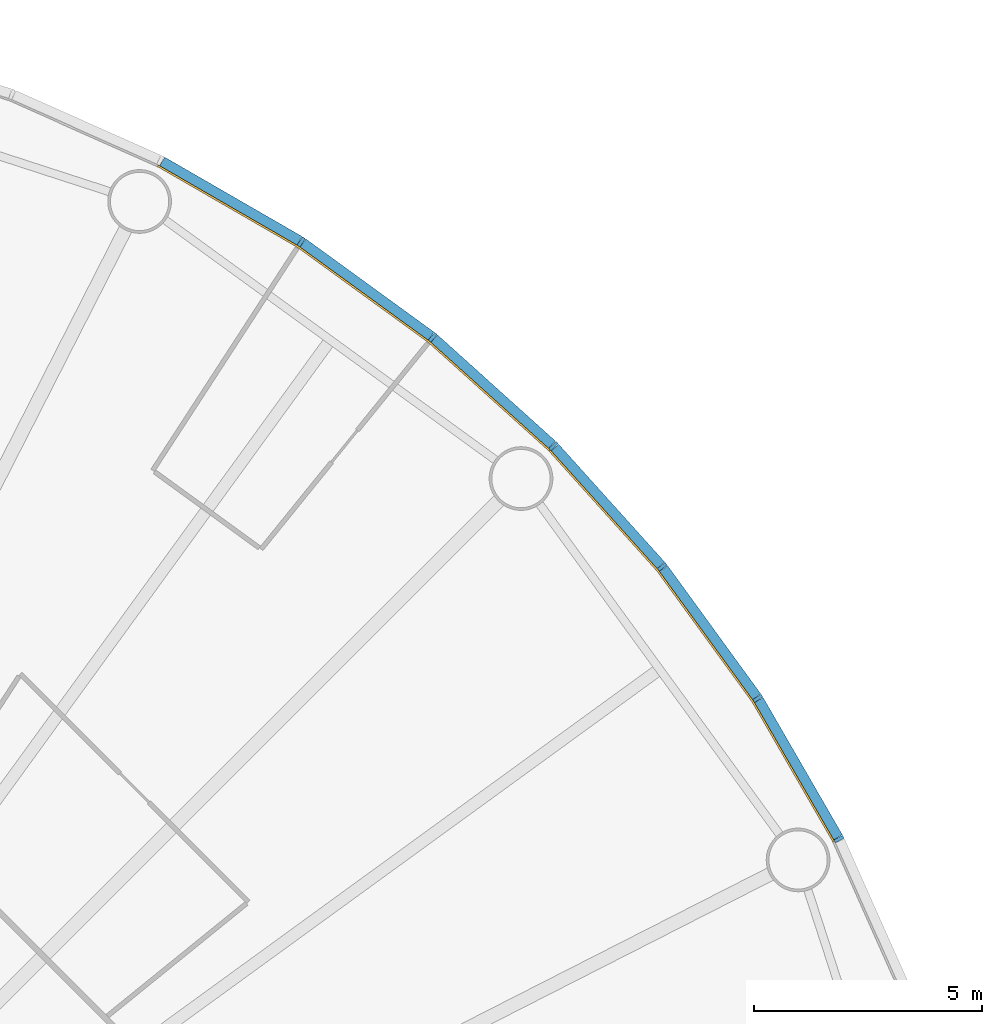
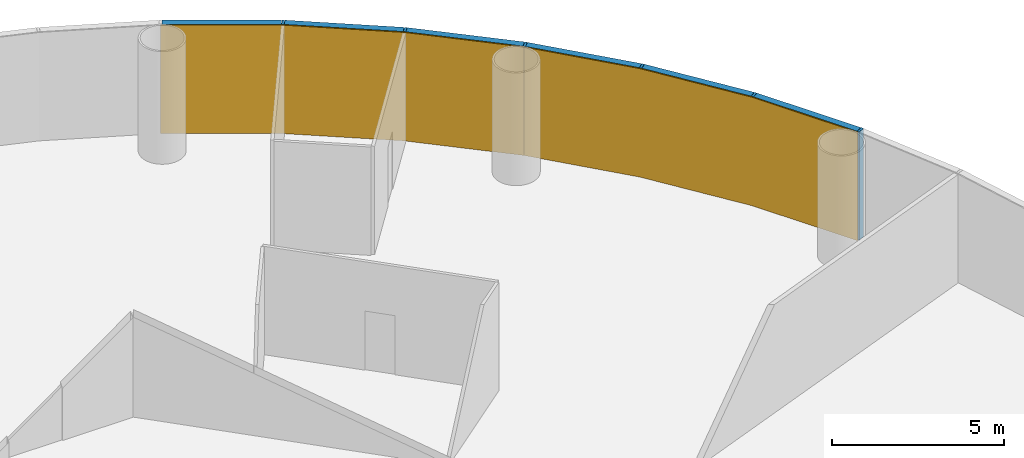
# One storey, part 10 of 13: 12 members, 2 curtain walls.
"""IFC4 building model written with IfcOpenShell, lengths in metres."""

from ifc_helpers import new_model, si_unit, direction, frame, origin, origin_2d, place, context, subcontext, project, spatial, polyline, rectangle, outline, extrude, material, layer, layer_set, material_profile, profile_set, type_object, element, aggregate, save


model = new_model("IFC4")

# Units and contexts
model_context = context("Model", 3, precision=1e-05, world=origin(), true_north=direction((0.0, 1.0)))
body_context = subcontext(model_context, "Body", "Model", "MODEL_VIEW")
ifc_project = project(units=[si_unit("LENGTHUNIT", "METRE"), si_unit("AREAUNIT", "SQUARE_METRE"), si_unit("VOLUMEUNIT", "CUBIC_METRE"), si_unit("PLANEANGLEUNIT", "RADIAN"), si_unit("MASSUNIT", "GRAM", prefix="KILO")], contexts=[model_context])

# Member
ifc_material_1 = material(Name="Anodised aluminium", Category="aluminium")
ifc_material_profile_1 = material_profile(ifc_material_1, rectangle(XDim=0.074951171875, YDim=0.219970703125, at=origin_2d()), Name="Mullion 75 x 220 mm anodised aluminium")
ifc_profile_set_1 = profile_set([ifc_material_profile_1], Name="Anodised aluminium")
member_type_1 = type_object("IfcMemberType", Name="Mullion 75 x 220 mm anodised aluminium", PredefinedType="MULLION", material=ifc_profile_set_1)
site_placement = place(None, origin())
building_placement = place(site_placement, origin())
storey_placement = place(building_placement, frame((0.0, 0.0, 58.0)))
member_1_placement = place(storey_placement, frame((120.392333984375, 95.485595703125, 0.0), z_axis=(0.0, 0.0, 1.0), x_axis=(-0.45399049974, 0.891006524188, 0.0)))
member_1 = element("IfcMember", 1, at=member_1_placement, type_object=member_type_1, Name="MULLION L12-03", PredefinedType="MULLION", context=body_context, shape_type="SweptSolid", body=[
    extrude(rectangle(XDim=0.074951171875, YDim=0.219970703125, at=origin_2d()), origin(), (0.0, 0.0, 1.0), 3.85009765625),
])

member_2_placement = place(storey_placement, frame((118.60693359375, 98.57763671875, 0.0), z_axis=(0.0, 0.0, 1.0), x_axis=(-0.544639035015, 0.838670567945, 0.0)))
member_2 = element("IfcMember", 2, at=member_2_placement, type_object=member_type_1, Name="MULLION L12-04", PredefinedType="MULLION", context=body_context, shape_type="SweptSolid", body=[
    extrude(rectangle(XDim=0.074951171875, YDim=0.219970703125, at=origin_2d()), origin(), (0.0, 0.0, 1.0), 3.85009765625),
])

member_3_placement = place(storey_placement, frame((116.508544921875, 101.466064453125, 0.0), z_axis=(0.0, 0.0, 1.0), x_axis=(-0.62932039105, 0.777145961457, 0.0)))
member_3 = element("IfcMember", 3, at=member_3_placement, type_object=member_type_1, Name="MULLION L12-05", PredefinedType="MULLION", context=body_context, shape_type="SweptSolid", body=[
    extrude(rectangle(XDim=0.074951171875, YDim=0.219970703125, at=origin_2d()), origin(), (0.0, 0.0, 1.0), 3.85009765625),
])

member_4_placement = place(storey_placement, frame((114.119384765625, 104.119384765625, 0.0), z_axis=(0.0, 0.0, 1.0), x_axis=(-0.707106781187, 0.707106781187, 0.0)))
member_4 = element("IfcMember", 4, at=member_4_placement, type_object=member_type_1, Name="MULLION L12-06", PredefinedType="MULLION", context=body_context, shape_type="SweptSolid", body=[
    extrude(rectangle(XDim=0.074951171875, YDim=0.219970703125, at=origin_2d()), origin(), (0.0, 0.0, 1.0), 3.85009765625),
])

member_5_placement = place(storey_placement, frame((111.466064453125, 106.508544921875, 0.0), z_axis=(0.0, 0.0, 1.0), x_axis=(-0.777145961457, 0.62932039105, 0.0)))
member_5 = element("IfcMember", 5, at=member_5_placement, type_object=member_type_1, Name="MULLION L12-07", PredefinedType="MULLION", context=body_context, shape_type="SweptSolid", body=[
    extrude(rectangle(XDim=0.074951171875, YDim=0.219970703125, at=origin_2d()), origin(), (0.0, 0.0, 1.0), 3.85009765625),
])

member_6_placement = place(storey_placement, frame((108.57763671875, 108.60693359375, 0.0), z_axis=(0.0, 0.0, 1.0), x_axis=(-0.838670567945, 0.544639035015, 0.0)))
member_6 = element("IfcMember", 6, at=member_6_placement, type_object=member_type_1, Name="MULLION L12-08", PredefinedType="MULLION", context=body_context, shape_type="SweptSolid", body=[
    extrude(rectangle(XDim=0.074951171875, YDim=0.219970703125, at=origin_2d()), origin(), (0.0, 0.0, 1.0), 3.85009765625),
])

ifc_material_2 = material(Name="Anodised aluminium", Category="aluminium")
ifc_material_profile_2 = material_profile(ifc_material_2, rectangle(XDim=0.219970703125, YDim=0.199951171875, at=origin_2d()), Name="Transom 200 x 220 mm anodised aluminium")
ifc_profile_set_2 = profile_set([ifc_material_profile_2], Name="Anodised aluminium")
member_type_2 = type_object("IfcMemberType", Name="Transom 200 x 220 mm anodised aluminium", PredefinedType="USERDEFINED", material=ifc_profile_set_2)
member_7_placement = place(storey_placement, frame((120.370849609375, 95.523193359375, 3.75), z_axis=(-0.500005538244, 0.866022206254, 0.0), x_axis=(-0.866022206254, -0.500005538244, 0.0)))
member_7 = element("IfcMember", 7, at=member_7_placement, type_object=member_type_2, Name="TRANSOM L12-03", ObjectType="TRANSOM", PredefinedType="USERDEFINED", context=body_context, shape_type="SweptSolid", body=[
    extrude(rectangle(XDim=0.219970703125, YDim=0.199951171875, at=origin_2d()), origin(), (0.0, 0.0, 1.0), 3.48388671875),
])

member_8_placement = place(storey_placement, frame((118.581787109375, 98.61279296875, 3.75), z_axis=(-0.587821627006, 0.80899056535, 0.0), x_axis=(-0.80899056535, -0.587821627006, 0.0)))
member_8 = element("IfcMember", 8, at=member_8_placement, type_object=member_type_2, Name="TRANSOM L12-04", ObjectType="TRANSOM", PredefinedType="USERDEFINED", context=body_context, shape_type="SweptSolid", body=[
    extrude(rectangle(XDim=0.219970703125, YDim=0.199951171875, at=origin_2d()), origin(), (0.0, 0.0, 1.0), 3.48388671875),
])

member_9_placement = place(storey_placement, frame((116.479736328125, 101.498291015625, 3.75), z_axis=(-0.669138930974, 0.743137329876, 0.0), x_axis=(-0.743137329876, -0.669138930974, 0.0)))
member_9 = element("IfcMember", 9, at=member_9_placement, type_object=member_type_2, Name="TRANSOM L12-05", ObjectType="TRANSOM", PredefinedType="USERDEFINED", context=body_context, shape_type="SweptSolid", body=[
    extrude(rectangle(XDim=0.219970703125, YDim=0.199951171875, at=origin_2d()), origin(), (0.0, 0.0, 1.0), 3.484130859375),
])

member_10_placement = place(storey_placement, frame((114.08740234375, 104.1484375, 3.75), z_axis=(-0.743137329876, 0.669138930974, 0.0), x_axis=(-0.669138930974, -0.743137329876, 0.0)))
member_10 = element("IfcMember", 10, at=member_10_placement, type_object=member_type_2, Name="TRANSOM L12-06", ObjectType="TRANSOM", PredefinedType="USERDEFINED", context=body_context, shape_type="SweptSolid", body=[
    extrude(rectangle(XDim=0.219970703125, YDim=0.199951171875, at=origin_2d()), origin(), (0.0, 0.0, 1.0), 3.484130859375),
])

member_11_placement = place(storey_placement, frame((111.43115234375, 106.533935546875, 3.75), z_axis=(-0.80899056535, 0.587821627006, 0.0), x_axis=(-0.587821627006, -0.80899056535, 0.0)))
member_11 = element("IfcMember", 11, at=member_11_placement, type_object=member_type_2, Name="TRANSOM L12-07", ObjectType="TRANSOM", PredefinedType="USERDEFINED", context=body_context, shape_type="SweptSolid", body=[
    extrude(rectangle(XDim=0.219970703125, YDim=0.199951171875, at=origin_2d()), origin(), (0.0, 0.0, 1.0), 3.48388671875),
])

member_12_placement = place(storey_placement, frame((108.540283203125, 108.62890625, 3.75), z_axis=(-0.866022206254, 0.500005538244, 0.0), x_axis=(-0.500005538244, -0.866022206254, 0.0)))
member_12 = element("IfcMember", 12, at=member_12_placement, type_object=member_type_2, Name="TRANSOM L12-08", ObjectType="TRANSOM", PredefinedType="USERDEFINED", context=body_context, shape_type="SweptSolid", body=[
    extrude(rectangle(XDim=0.219970703125, YDim=0.199951171875, at=origin_2d()), origin(), (0.0, 0.0, 1.0), 3.48388671875),
])

# Site, building, storey
site = spatial("IfcSite", under=ifc_project, at=site_placement, CompositionType="ELEMENT")
building = spatial("IfcBuilding", under=site, at=building_placement, Name="Entoto Ring Tower", CompositionType="ELEMENT")
storey = spatial("IfcBuildingStorey", under=building, at=storey_placement, Name="L12", CompositionType="ELEMENT", Elevation=58.0)

# Curtain wall
ifc_material_3 = material(Name="Clear low-iron glass", Category="glass")
ifc_layer = layer(ifc_material_3, 0.0400390625)
ifc_layer_set = layer_set([ifc_layer], Name="Clear low-iron glass")
curtain_wall_type = type_object("IfcCurtainWallType", Name="Curtain wall system CW1 glazing 40 mm", PredefinedType="NOTDEFINED", material=ifc_layer_set)
curtain_wall_1_placement = place(storey_placement, origin())
curtain_wall_1 = element("IfcCurtainWall", 13, at=curtain_wall_1_placement, inside=storey, type_object=curtain_wall_type, Name="CW1 L12-02", PredefinedType="NOTDEFINED", context=body_context, shape_type="SweptSolid", body=[
    extrude(outline(polyline([(120.294189453125, 95.435791015625), (118.514892578125, 98.517822265625), (116.4228515625, 101.39697265625), (114.041748046875, 104.041748046875), (114.013427734375, 104.013427734375), (116.391845703125, 101.37158203125), (118.481201171875, 98.495849609375), (120.258544921875, 95.41748046875), (120.294189453125, 95.435791015625)])), origin(), (0.0, 0.0, 1.0), 3.85009765625),
])

aggregate(curtain_wall_1, [member_1, member_2, member_3, member_7, member_8, member_9])

curtain_wall_2_placement = place(storey_placement, origin())
curtain_wall_2 = element("IfcCurtainWall", 14, at=curtain_wall_2_placement, inside=storey, type_object=curtain_wall_type, Name="CW1 L12-03", PredefinedType="NOTDEFINED", context=body_context, shape_type="SweptSolid", body=[
    extrude(outline(polyline([(114.041748046875, 104.041748046875), (111.39697265625, 106.4228515625), (108.517822265625, 108.514892578125), (105.435791015625, 110.294189453125), (105.41748046875, 110.258544921875), (108.495849609375, 108.481201171875), (111.37158203125, 106.391845703125), (114.013427734375, 104.013427734375), (114.041748046875, 104.041748046875)])), origin(), (0.0, 0.0, 1.0), 3.85009765625),
])

aggregate(curtain_wall_2, [member_4, member_5, member_6, member_10, member_11, member_12])

save(model, "model.ifc")
